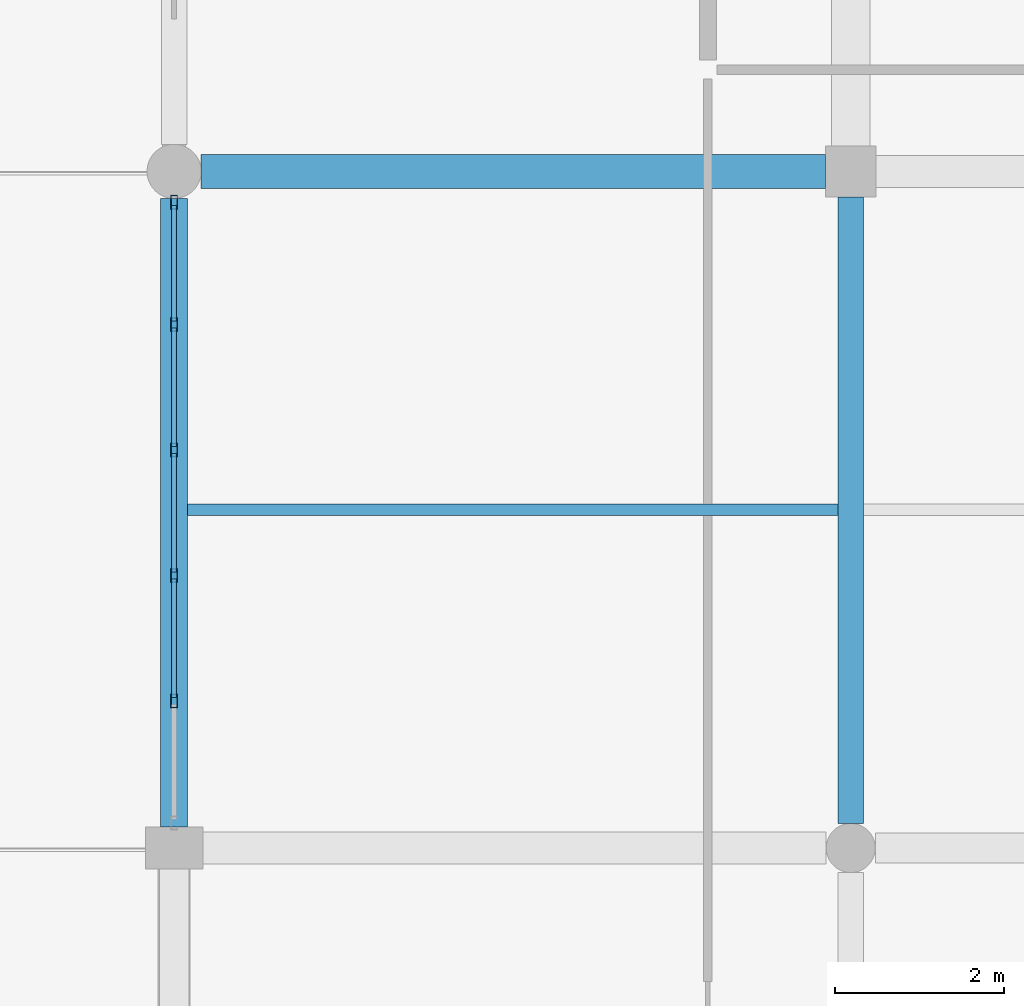
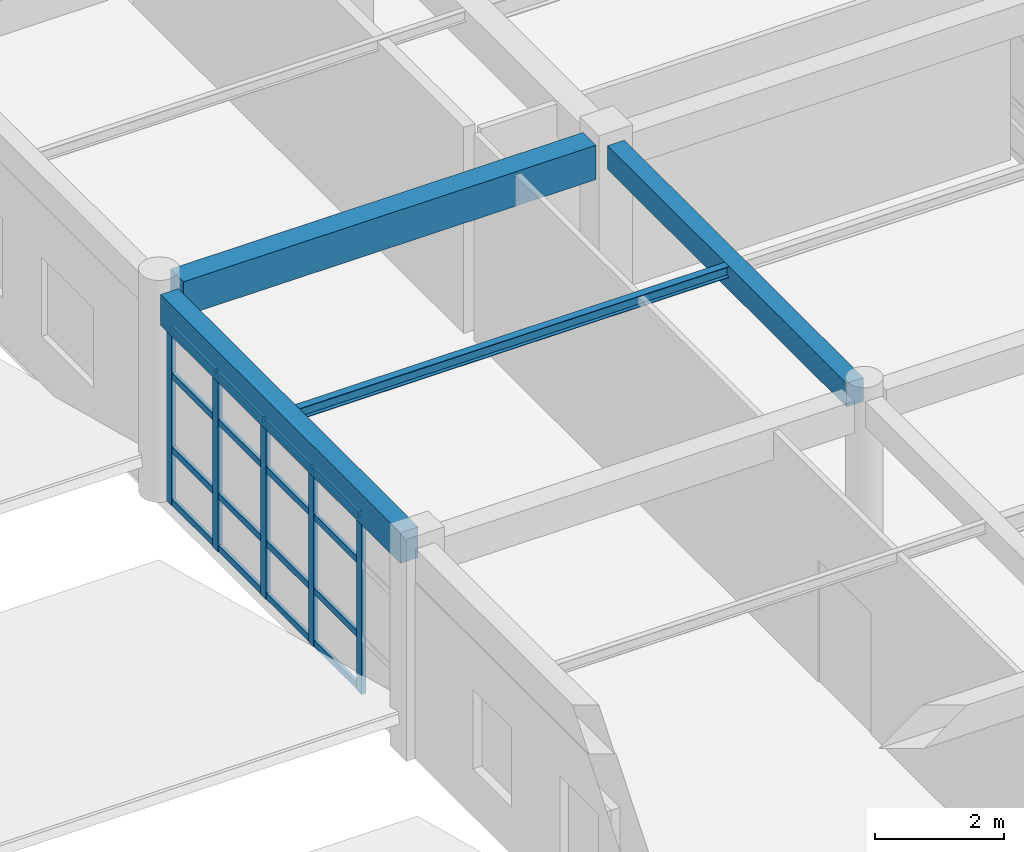
# One storey, part 46 of 121: 21 members, 4 beams, 1 element without a shape of its own.
"""IFC4 building model written with IfcOpenShell, lengths in metres."""

from ifc_helpers import new_model, si_unit, direction, frame, origin, origin_2d, place, context, subcontext, project, spatial, rectangle, hollow_rectangle, i_section, extrude, material, material_profile, profile_set, type_object, element, aggregate, save


model = new_model("IFC4")

# Units and contexts
model_context = context("Model", 3, precision=1e-05, world=origin(), true_north=direction((0.0, 1.0)))
body_context = subcontext(model_context, "Body", "Model", "MODEL_VIEW")
ifc_project = project(units=[si_unit("LENGTHUNIT", "METRE"), si_unit("AREAUNIT", "SQUARE_METRE"), si_unit("VOLUMEUNIT", "CUBIC_METRE"), si_unit("PLANEANGLEUNIT", "RADIAN"), si_unit("MASSUNIT", "GRAM", prefix="KILO")], contexts=[model_context])

# Site, building, storey
site_placement = place(None, origin())
site = spatial("IfcSite", under=ifc_project, at=site_placement, CompositionType="ELEMENT")
building_placement = place(site_placement, origin())
building = spatial("IfcBuilding", under=site, at=building_placement, Name="Kharva Crest Polytechnic", CompositionType="ELEMENT")
storey_placement = place(building_placement, frame((0.0, 0.0, 13.199951171875)))
storey = spatial("IfcBuildingStorey", under=building, at=storey_placement, Name="L03", CompositionType="ELEMENT", Elevation=13.199951171875)

# Beams
ifc_material_1 = material(Name="Concrete C35/45", Category="concrete")
ifc_material_profile_1 = material_profile(ifc_material_1, rectangle(XDim=0.300048828125, YDim=0.449951171875, at=origin_2d()), Name="RECT 300 X 450")
ifc_profile_set_1 = profile_set([ifc_material_profile_1], Name="Concrete C35/45")
beam_type_1 = type_object("IfcBeamType", Name="BM-RC-300X450", PredefinedType="BEAM", material=ifc_profile_set_1)
beam_1_placement = place(storey_placement, frame((40.0, 63.090087890625, 3.735107421875), z_axis=(0.0, 1.0, 0.0), x_axis=(-1.0, 0.0, 0.0)))
element("IfcBeam", 1, at=beam_1_placement, inside=storey, type_object=beam_type_1, Name="L03 Girder 6/J-K", PredefinedType="BEAM", context=body_context, shape_type="SweptSolid", body=[
    extrude(rectangle(XDim=0.300048828125, YDim=0.449951171875, at=origin_2d()), origin(), (0.0, 0.0, 1.0), 7.409912109375),
])
ifc_material_profile_2 = material_profile(ifc_material_1, rectangle(XDim=0.39990234375, YDim=0.64990234375, at=origin_2d()), Name="RECT 400 X 650")
ifc_profile_set_2 = profile_set([ifc_material_profile_2], Name="Concrete C35/45")
beam_type_2 = type_object("IfcBeamType", Name="BM-RC-400X650", PredefinedType="BEAM", material=ifc_profile_set_2)
beam_2_placement = place(storey_placement, frame((32.320068359375, 70.800048828125, 3.635009765625), z_axis=(1.0, 0.0, 0.0), x_axis=(0.0, 1.0, 0.0)))
element("IfcBeam", 2, at=beam_2_placement, inside=storey, type_object=beam_type_2, Name="L03 Beam K/5-6", PredefinedType="BEAM", context=body_context, shape_type="SweptSolid", body=[
    extrude(rectangle(XDim=0.39990234375, YDim=0.64990234375, at=origin_2d()), origin(), (0.0, 0.0, 1.0), 7.3798828125),
])
ifc_material_2 = material(Name="Steel S355", Category="steel")
ifc_material_profile_3 = material_profile(ifc_material_2, i_section(OverallWidth=0.134033203125, OverallDepth=0.2099609375, WebThickness=0.00634765625, FlangeThickness=0.01025390625, at=origin_2d()), Name="W200X31.3")
ifc_profile_set_3 = profile_set([ifc_material_profile_3], Name="Steel S355")
beam_type_3 = type_object("IfcBeamType", Name="BM-STL-W200X31", PredefinedType="JOIST", material=ifc_profile_set_3)
beam_3_placement = place(storey_placement, frame((32.159912109375, 66.800048828125, 3.85498046875), z_axis=(1.0, 0.0, 0.0), x_axis=(0.0, 1.0, 0.0)))
element("IfcBeam", 3, at=beam_3_placement, inside=storey, type_object=beam_type_3, Name="L03 Floor Joist 5", PredefinedType="JOIST", context=body_context, shape_type="SweptSolid", body=[
    extrude(i_section(OverallWidth=0.134033203125, OverallDepth=0.2099609375, WebThickness=0.00634765625, FlangeThickness=0.01025390625, at=origin_2d()), origin(), (0.0, 0.0, 1.0), 7.690185546875),
])

# Curtain wall, members
ifc_material_3 = material(Name="Tempered insulated glass", Category="glass")
curtain_wall_type = type_object("IfcCurtainWallType", Name="CW-SYS-COURT", PredefinedType="USERDEFINED", material=ifc_material_3)
curtain_wall_placement = place(storey_placement, origin())
curtain_wall = element("IfcCurtainWall", 4, at=curtain_wall_placement, inside=storey, type_object=curtain_wall_type, Name="L03 Glazed Curtain Wall CW-167", ObjectType="CURTAIN WALL", PredefinedType="USERDEFINED")
ifc_material_profile_4 = material_profile(ifc_material_2, hollow_rectangle(XDim=0.080078125, YDim=0.159912109375, WallThickness=0.0048828125, at=origin_2d()), Name="RHS 160X80X5.0")
ifc_profile_set_4 = profile_set([ifc_material_profile_4], Name="Steel S355")
member_type_1 = type_object("IfcMemberType", Name="CWM-RHS160X80", PredefinedType="MULLION", material=ifc_profile_set_4)
member_1_placement = place(storey_placement, frame((32.0, 70.43505859375, 0.0), z_axis=(0.0, 0.0, 1.0), x_axis=(1.0, 0.0, 0.0)))
member_1 = element("IfcMember", 5, at=member_1_placement, type_object=member_type_1, Name="CW-167 mullion 1", PredefinedType="MULLION", context=body_context, shape_type="SweptSolid", body=[
    extrude(hollow_rectangle(XDim=0.080078125, YDim=0.159912109375, WallThickness=0.0048828125, at=origin_2d()), origin(), (0.0, 0.0, 1.0), 3.380126953125),
])
member_2_placement = place(storey_placement, frame((32.0, 68.990966796875, 0.0), z_axis=(0.0, 0.0, 1.0), x_axis=(1.0, 0.0, 0.0)))
member_2 = element("IfcMember", 6, at=member_2_placement, type_object=member_type_1, Name="CW-167 mullion 2", PredefinedType="MULLION", context=body_context, shape_type="SweptSolid", body=[
    extrude(hollow_rectangle(XDim=0.080078125, YDim=0.159912109375, WallThickness=0.0048828125, at=origin_2d()), origin(), (0.0, 0.0, 1.0), 3.380126953125),
])
member_3_placement = place(storey_placement, frame((32.0, 67.507080078125, 0.0), z_axis=(0.0, 0.0, 1.0), x_axis=(1.0, 0.0, 0.0)))
member_3 = element("IfcMember", 7, at=member_3_placement, type_object=member_type_1, Name="CW-167 mullion 3", PredefinedType="MULLION", context=body_context, shape_type="SweptSolid", body=[
    extrude(hollow_rectangle(XDim=0.080078125, YDim=0.159912109375, WallThickness=0.0048828125, at=origin_2d()), origin(), (0.0, 0.0, 1.0), 3.380126953125),
])
member_4_placement = place(storey_placement, frame((32.0, 66.02294921875, 0.0), z_axis=(0.0, 0.0, 1.0), x_axis=(1.0, 0.0, 0.0)))
member_4 = element("IfcMember", 8, at=member_4_placement, type_object=member_type_1, Name="CW-167 mullion 4", PredefinedType="MULLION", context=body_context, shape_type="SweptSolid", body=[
    extrude(hollow_rectangle(XDim=0.080078125, YDim=0.159912109375, WallThickness=0.0048828125, at=origin_2d()), origin(), (0.0, 0.0, 1.0), 3.380126953125),
])
member_5_placement = place(storey_placement, frame((32.0, 64.5390625, 0.0), z_axis=(0.0, 0.0, 1.0), x_axis=(1.0, 0.0, 0.0)))
member_5 = element("IfcMember", 9, at=member_5_placement, type_object=member_type_1, Name="CW-167 mullion 5", PredefinedType="MULLION", context=body_context, shape_type="SweptSolid", body=[
    extrude(hollow_rectangle(XDim=0.080078125, YDim=0.159912109375, WallThickness=0.0048828125, at=origin_2d()), origin(), (0.0, 0.0, 1.0), 3.380126953125),
])
ifc_material_profile_5 = material_profile(ifc_material_2, hollow_rectangle(XDim=0.06005859375, YDim=0.1201171875, WallThickness=0.00390625, at=origin_2d()), Name="RHS 120X60X4.0")
ifc_profile_set_5 = profile_set([ifc_material_profile_5], Name="Steel S355")
member_type_2 = type_object("IfcMemberType", Name="CWT-RHS120X60", PredefinedType="USERDEFINED", material=ifc_profile_set_5)
member_6_placement = place(storey_placement, frame((32.0, 70.39501953125, 0.06005859375), z_axis=(0.0, -1.0, 0.0), x_axis=(1.0, 0.0, 0.0)))
member_6 = element("IfcMember", 10, at=member_6_placement, type_object=member_type_2, Name="CW-167 transom 1.1", ObjectType="TRANSOM", PredefinedType="USERDEFINED", context=body_context, shape_type="SweptSolid", body=[
    extrude(hollow_rectangle(XDim=0.06005859375, YDim=0.1201171875, WallThickness=0.00390625, at=origin_2d()), origin(), (0.0, 0.0, 1.0), 1.364013671875),
])
member_7_placement = place(storey_placement, frame((32.0, 70.39501953125, 1.050048828125), z_axis=(0.0, -1.0, 0.0), x_axis=(1.0, 0.0, 0.0)))
member_7 = element("IfcMember", 11, at=member_7_placement, type_object=member_type_2, Name="CW-167 transom 1.2", ObjectType="TRANSOM", PredefinedType="USERDEFINED", context=body_context, shape_type="SweptSolid", body=[
    extrude(hollow_rectangle(XDim=0.06005859375, YDim=0.1201171875, WallThickness=0.00390625, at=origin_2d()), origin(), (0.0, 0.0, 1.0), 1.364013671875),
])
member_8_placement = place(storey_placement, frame((32.0, 70.39501953125, 2.449951171875), z_axis=(0.0, -1.0, 0.0), x_axis=(1.0, 0.0, 0.0)))
member_8 = element("IfcMember", 12, at=member_8_placement, type_object=member_type_2, Name="CW-167 transom 1.3", ObjectType="TRANSOM", PredefinedType="USERDEFINED", context=body_context, shape_type="SweptSolid", body=[
    extrude(hollow_rectangle(XDim=0.06005859375, YDim=0.1201171875, WallThickness=0.00390625, at=origin_2d()), origin(), (0.0, 0.0, 1.0), 1.364013671875),
])
member_9_placement = place(storey_placement, frame((32.0, 70.39501953125, 3.320068359375), z_axis=(0.0, -1.0, 0.0), x_axis=(1.0, 0.0, 0.0)))
member_9 = element("IfcMember", 13, at=member_9_placement, type_object=member_type_2, Name="CW-167 transom 1.4", ObjectType="TRANSOM", PredefinedType="USERDEFINED", context=body_context, shape_type="SweptSolid", body=[
    extrude(hollow_rectangle(XDim=0.06005859375, YDim=0.1201171875, WallThickness=0.00390625, at=origin_2d()), origin(), (0.0, 0.0, 1.0), 1.364013671875),
])
member_10_placement = place(storey_placement, frame((32.0, 68.950927734375, 0.06005859375), z_axis=(0.0, -1.0, 0.0), x_axis=(1.0, 0.0, 0.0)))
member_10 = element("IfcMember", 14, at=member_10_placement, type_object=member_type_2, Name="CW-167 transom 2.1", ObjectType="TRANSOM", PredefinedType="USERDEFINED", context=body_context, shape_type="SweptSolid", body=[
    extrude(hollow_rectangle(XDim=0.06005859375, YDim=0.1201171875, WallThickness=0.00390625, at=origin_2d()), origin(), (0.0, 0.0, 1.0), 1.40380859375),
])
member_11_placement = place(storey_placement, frame((32.0, 68.950927734375, 1.050048828125), z_axis=(0.0, -1.0, 0.0), x_axis=(1.0, 0.0, 0.0)))
member_11 = element("IfcMember", 15, at=member_11_placement, type_object=member_type_2, Name="CW-167 transom 2.2", ObjectType="TRANSOM", PredefinedType="USERDEFINED", context=body_context, shape_type="SweptSolid", body=[
    extrude(hollow_rectangle(XDim=0.06005859375, YDim=0.1201171875, WallThickness=0.00390625, at=origin_2d()), origin(), (0.0, 0.0, 1.0), 1.40380859375),
])
member_12_placement = place(storey_placement, frame((32.0, 68.950927734375, 2.449951171875), z_axis=(0.0, -1.0, 0.0), x_axis=(1.0, 0.0, 0.0)))
member_12 = element("IfcMember", 16, at=member_12_placement, type_object=member_type_2, Name="CW-167 transom 2.3", ObjectType="TRANSOM", PredefinedType="USERDEFINED", context=body_context, shape_type="SweptSolid", body=[
    extrude(hollow_rectangle(XDim=0.06005859375, YDim=0.1201171875, WallThickness=0.00390625, at=origin_2d()), origin(), (0.0, 0.0, 1.0), 1.40380859375),
])
member_13_placement = place(storey_placement, frame((32.0, 68.950927734375, 3.320068359375), z_axis=(0.0, -1.0, 0.0), x_axis=(1.0, 0.0, 0.0)))
member_13 = element("IfcMember", 17, at=member_13_placement, type_object=member_type_2, Name="CW-167 transom 2.4", ObjectType="TRANSOM", PredefinedType="USERDEFINED", context=body_context, shape_type="SweptSolid", body=[
    extrude(hollow_rectangle(XDim=0.06005859375, YDim=0.1201171875, WallThickness=0.00390625, at=origin_2d()), origin(), (0.0, 0.0, 1.0), 1.40380859375),
])
member_14_placement = place(storey_placement, frame((32.0, 67.467041015625, 0.06005859375), z_axis=(0.0, -1.0, 0.0), x_axis=(1.0, 0.0, 0.0)))
member_14 = element("IfcMember", 18, at=member_14_placement, type_object=member_type_2, Name="CW-167 transom 3.1", ObjectType="TRANSOM", PredefinedType="USERDEFINED", context=body_context, shape_type="SweptSolid", body=[
    extrude(hollow_rectangle(XDim=0.06005859375, YDim=0.1201171875, WallThickness=0.00390625, at=origin_2d()), origin(), (0.0, 0.0, 1.0), 1.404052734375),
])
member_15_placement = place(storey_placement, frame((32.0, 67.467041015625, 1.050048828125), z_axis=(0.0, -1.0, 0.0), x_axis=(1.0, 0.0, 0.0)))
member_15 = element("IfcMember", 19, at=member_15_placement, type_object=member_type_2, Name="CW-167 transom 3.2", ObjectType="TRANSOM", PredefinedType="USERDEFINED", context=body_context, shape_type="SweptSolid", body=[
    extrude(hollow_rectangle(XDim=0.06005859375, YDim=0.1201171875, WallThickness=0.00390625, at=origin_2d()), origin(), (0.0, 0.0, 1.0), 1.404052734375),
])
member_16_placement = place(storey_placement, frame((32.0, 67.467041015625, 2.449951171875), z_axis=(0.0, -1.0, 0.0), x_axis=(1.0, 0.0, 0.0)))
member_16 = element("IfcMember", 20, at=member_16_placement, type_object=member_type_2, Name="CW-167 transom 3.3", ObjectType="TRANSOM", PredefinedType="USERDEFINED", context=body_context, shape_type="SweptSolid", body=[
    extrude(hollow_rectangle(XDim=0.06005859375, YDim=0.1201171875, WallThickness=0.00390625, at=origin_2d()), origin(), (0.0, 0.0, 1.0), 1.404052734375),
])
member_17_placement = place(storey_placement, frame((32.0, 67.467041015625, 3.320068359375), z_axis=(0.0, -1.0, 0.0), x_axis=(1.0, 0.0, 0.0)))
member_17 = element("IfcMember", 21, at=member_17_placement, type_object=member_type_2, Name="CW-167 transom 3.4", ObjectType="TRANSOM", PredefinedType="USERDEFINED", context=body_context, shape_type="SweptSolid", body=[
    extrude(hollow_rectangle(XDim=0.06005859375, YDim=0.1201171875, WallThickness=0.00390625, at=origin_2d()), origin(), (0.0, 0.0, 1.0), 1.404052734375),
])
member_18_placement = place(storey_placement, frame((32.0, 65.98291015625, 0.06005859375), z_axis=(0.0, -1.0, 0.0), x_axis=(1.0, 0.0, 0.0)))
member_18 = element("IfcMember", 22, at=member_18_placement, type_object=member_type_2, Name="CW-167 transom 4.1", ObjectType="TRANSOM", PredefinedType="USERDEFINED", context=body_context, shape_type="SweptSolid", body=[
    extrude(hollow_rectangle(XDim=0.06005859375, YDim=0.1201171875, WallThickness=0.00390625, at=origin_2d()), origin(), (0.0, 0.0, 1.0), 1.40380859375),
])
member_19_placement = place(storey_placement, frame((32.0, 65.98291015625, 1.050048828125), z_axis=(0.0, -1.0, 0.0), x_axis=(1.0, 0.0, 0.0)))
member_19 = element("IfcMember", 23, at=member_19_placement, type_object=member_type_2, Name="CW-167 transom 4.2", ObjectType="TRANSOM", PredefinedType="USERDEFINED", context=body_context, shape_type="SweptSolid", body=[
    extrude(hollow_rectangle(XDim=0.06005859375, YDim=0.1201171875, WallThickness=0.00390625, at=origin_2d()), origin(), (0.0, 0.0, 1.0), 1.40380859375),
])
member_20_placement = place(storey_placement, frame((32.0, 65.98291015625, 2.449951171875), z_axis=(0.0, -1.0, 0.0), x_axis=(1.0, 0.0, 0.0)))
member_20 = element("IfcMember", 24, at=member_20_placement, type_object=member_type_2, Name="CW-167 transom 4.3", ObjectType="TRANSOM", PredefinedType="USERDEFINED", context=body_context, shape_type="SweptSolid", body=[
    extrude(hollow_rectangle(XDim=0.06005859375, YDim=0.1201171875, WallThickness=0.00390625, at=origin_2d()), origin(), (0.0, 0.0, 1.0), 1.40380859375),
])
member_21_placement = place(storey_placement, frame((32.0, 65.98291015625, 3.320068359375), z_axis=(0.0, -1.0, 0.0), x_axis=(1.0, 0.0, 0.0)))
member_21 = element("IfcMember", 25, at=member_21_placement, type_object=member_type_2, Name="CW-167 transom 4.4", ObjectType="TRANSOM", PredefinedType="USERDEFINED", context=body_context, shape_type="SweptSolid", body=[
    extrude(hollow_rectangle(XDim=0.06005859375, YDim=0.1201171875, WallThickness=0.00390625, at=origin_2d()), origin(), (0.0, 0.0, 1.0), 1.40380859375),
])
aggregate(curtain_wall, [member_1, member_2, member_3, member_4, member_5, member_6, member_7, member_8, member_9, member_10, member_11, member_12, member_13, member_14, member_15, member_16, member_17, member_18, member_19, member_20, member_21])

# Beam
ifc_material_profile_6 = material_profile(ifc_material_1, rectangle(XDim=0.320068359375, YDim=0.580078125, at=origin_2d()), Name="RECT 320 X 580")
ifc_profile_set_6 = profile_set([ifc_material_profile_6], Name="Concrete C35/45")
beam_type_4 = type_object("IfcBeamType", Name="SP-RC-320X580", PredefinedType="SPANDREL", material=ifc_profile_set_6)
beam_4_placement = place(storey_placement, frame((32.0, 63.050048828125, 3.670166015625), z_axis=(0.0, 1.0, 0.0), x_axis=(-1.0, 0.0, 0.0)))
element("IfcBeam", 26, at=beam_4_placement, inside=storey, type_object=beam_type_4, Name="L03 Girder 5/J-K", PredefinedType="SPANDREL", context=body_context, shape_type="SweptSolid", body=[
    extrude(rectangle(XDim=0.320068359375, YDim=0.580078125, at=origin_2d()), origin(), (0.0, 0.0, 1.0), 7.429931640625),
])

save(model, "model.ifc")
